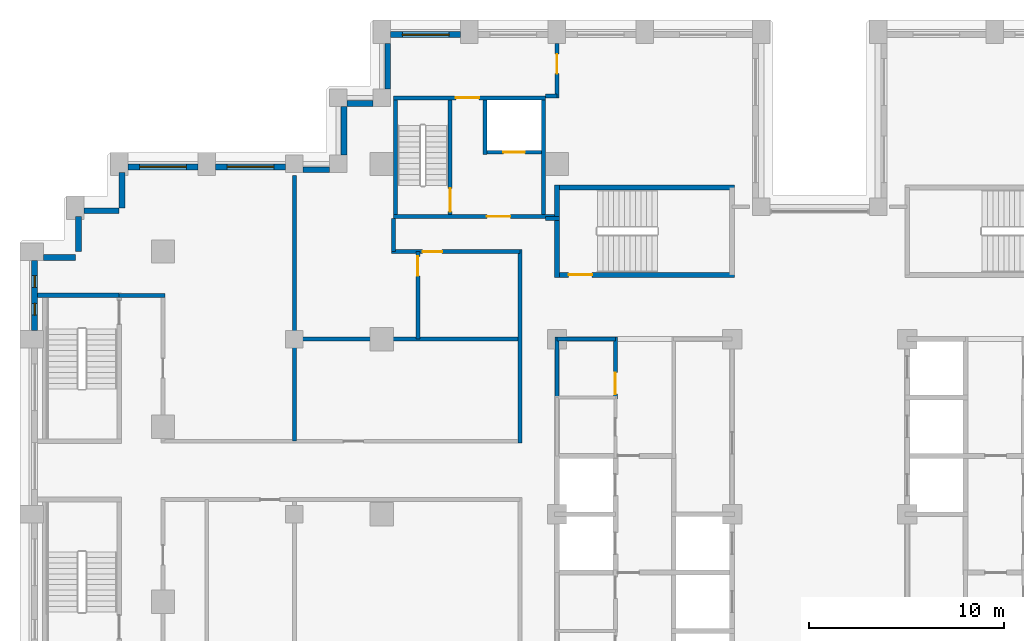
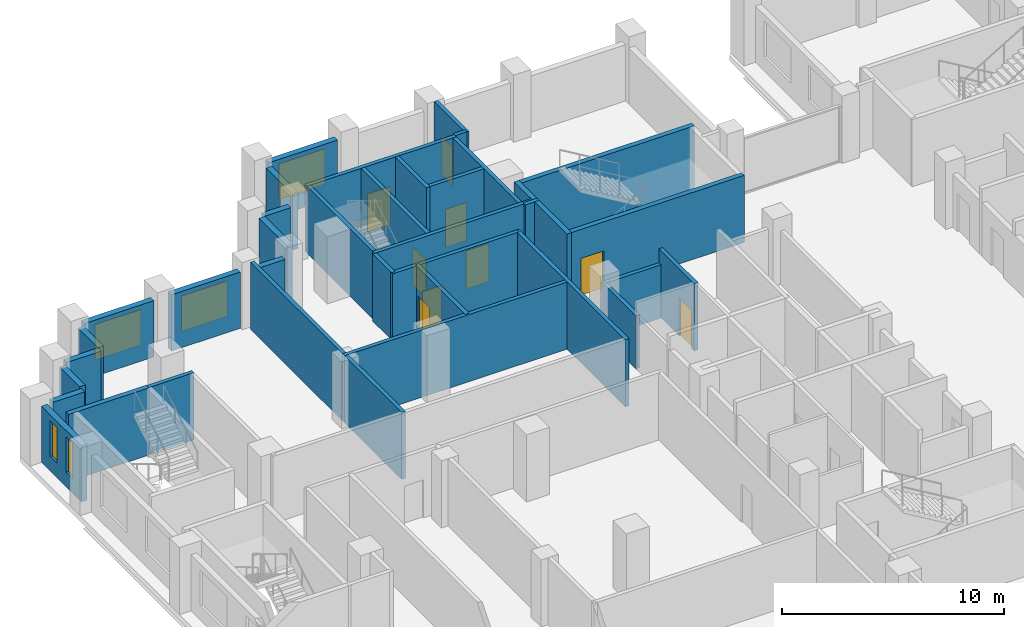
# One storey, part 9 of 15: 36 walls, 9 doors, 5 windows, 14 openings.
"""IFC4 building model written with IfcOpenShell, lengths in metres."""

from ifc_helpers import new_model, si_unit, direction, frame, frame_2d, origin, place, context, subcontext, project, spatial, rectangle, extrude, material, layer, layer_set, type_object, element, fill, save


model = new_model("IFC4")

# Units and contexts
model_context = context("Model", 3, precision=1e-05, world=origin(), true_north=direction((0.0, 1.0)))
body_context = subcontext(model_context, "Body", "Model", "MODEL_VIEW")
ifc_project = project(units=[si_unit("LENGTHUNIT", "METRE"), si_unit("AREAUNIT", "SQUARE_METRE"), si_unit("VOLUMEUNIT", "CUBIC_METRE"), si_unit("PLANEANGLEUNIT", "RADIAN"), si_unit("MASSUNIT", "GRAM", prefix="KILO")], contexts=[model_context])

# Site, building, storey
site_placement = place(None, origin())
site = spatial("IfcSite", under=ifc_project, at=site_placement, CompositionType="ELEMENT")
building_placement = place(site_placement, origin())
building = spatial("IfcBuilding", under=site, at=building_placement, Name="Corbelhall Arena Tower", CompositionType="ELEMENT")
storey_placement = place(building_placement, frame((0.0, 0.0, 88.0)))
storey = spatial("IfcBuildingStorey", under=building, at=storey_placement, Name="L14", CompositionType="ELEMENT", Elevation=88.0)

# Walls
ifc_material_1 = material(Name="Precast concrete C40/50 with granite facing", Category="masonry")
ifc_layer_1 = layer(ifc_material_1, 0.300048828125)
ifc_layer_set_1 = layer_set([ifc_layer_1], Name="EV-IW1 Infill panel 300")
wall_type_1 = type_object("IfcWallType", Name="EV-IW1 Infill panel 300", PredefinedType="SOLIDWALL", material=ifc_layer_set_1)
for number, where, z_axis, x_axis, name in (
    (1, (-35.85009765625, 17.550048828125, 0.0), (0.0, 0.0, 1.0), (0.0, -1.0, 0.0), "Infill panel IW1"),
    (2, (-37.800048828125, 15.60009765625, 0.0), (0.0, 0.0, 1.0), (1.0, 0.0, 0.0), "Infill panel IW1"),
    (3, (-38.10009765625, 15.300048828125, 0.0), (0.0, 0.0, 1.0), (0.0, -1.0, 0.0), "Infill panel IW1"),
):
    element("IfcWall", number, at=place(storey_placement, frame(where, z_axis=z_axis, x_axis=x_axis)), inside=storey, type_object=wall_type_1, Name=name, PredefinedType="SOLIDWALL", context=body_context, shape_type="SweptSolid", body=[
        extrude(rectangle(XDim=1.800048828125, YDim=0.300048828125, at=frame_2d((0.89990234375, 0.0))), origin(), (0.0, 0.0, 1.0), 3.10009765625),
    ])
wall_1_placement = place(storey_placement, frame((-39.89990234375, 13.199951171875, 0.0), z_axis=(0.0, 0.0, 1.0), x_axis=(1.0, 0.0, 0.0)))
element("IfcWall", 4, at=wall_1_placement, inside=storey, type_object=wall_type_1, Name="Infill panel IW1", PredefinedType="SOLIDWALL", context=body_context, shape_type="SweptSolid", body=[
    extrude(rectangle(XDim=1.64990234375, YDim=0.300048828125, at=frame_2d((0.824951171875, 0.0))), origin(), (0.0, 0.0, 1.0), 3.10009765625),
])
wall_2_placement = place(storey_placement, frame((-22.199951171875, 24.199951171875, 0.0), z_axis=(0.0, 0.0, 1.0), x_axis=(0.0, -1.0, 0.0)))
element("IfcWall", 5, at=wall_2_placement, inside=storey, type_object=wall_type_1, Name="Infill panel IW1", PredefinedType="SOLIDWALL", context=body_context, shape_type="SweptSolid", body=[
    extrude(rectangle(XDim=2.349853515625, YDim=0.300048828125, at=frame_2d((1.1748046875, 0.0))), origin(), (0.0, 0.0, 1.0), 3.10009765625),
])
wall_3_placement = place(storey_placement, frame((-22.949951171875, 21.10009765625, 0.0), z_axis=(0.0, 0.0, 1.0), x_axis=(-1.0, 0.0, 0.0)))
element("IfcWall", 6, at=wall_3_placement, inside=storey, type_object=wall_type_1, Name="Infill panel IW1", PredefinedType="SOLIDWALL", context=body_context, shape_type="SweptSolid", body=[
    extrude(rectangle(XDim=1.35009765625, YDim=0.300048828125, at=frame_2d((0.675048828125, 0.0))), origin(), (0.0, 0.0, 1.0), 3.10009765625),
])
wall_4_placement = place(storey_placement, frame((-24.449951171875, 20.949951171875, 0.0), z_axis=(0.0, 0.0, 1.0), x_axis=(0.0, -1.0, 0.0)))
element("IfcWall", 7, at=wall_4_placement, inside=storey, type_object=wall_type_1, Name="Infill panel IW1", PredefinedType="SOLIDWALL", context=body_context, shape_type="SweptSolid", body=[
    extrude(rectangle(XDim=2.5, YDim=0.300048828125, at=frame_2d((1.25, 0.0))), origin(), (0.0, 0.0, 1.0), 3.10009765625),
])
wall_5_placement = place(storey_placement, frame((-25.199951171875, 17.699951171875, 0.0), z_axis=(0.0, 0.0, 1.0), x_axis=(-1.0, 0.0, 0.0)))
element("IfcWall", 8, at=wall_5_placement, inside=storey, type_object=wall_type_1, Name="Infill panel IW1", PredefinedType="SOLIDWALL", context=body_context, shape_type="SweptSolid", body=[
    extrude(rectangle(XDim=1.35009765625, YDim=0.300048828125, at=frame_2d((0.675048828125, 0.0))), origin(), (0.0, 0.0, 1.0), 3.10009765625),
])

# Wall, opening, window
wall_6_placement = place(storey_placement, frame((-27.449951171875, 17.85009765625, 0.0), z_axis=(0.0, 0.0, 1.0), x_axis=(-1.0, 0.0, 0.0)))
wall_6 = element("IfcWall", 9, at=wall_6_placement, inside=storey, type_object=wall_type_1, Name="Infill panel IW1", PredefinedType="SOLIDWALL", context=body_context, shape_type="SweptSolid", body=[
    extrude(rectangle(XDim=3.60009765625, YDim=0.300048828125, at=frame_2d((1.800048828125, 0.0))), origin(), (0.0, 0.0, 1.0), 3.10009765625),
])
opening_1_placement = place(wall_6_placement, frame((0.60009765625, 0.0, 0.800048828125)))
opening_1 = element("IfcOpeningElement", 10, at=opening_1_placement, cuts=wall_6, Name="Opening WN1", PredefinedType="OPENING", context=body_context, shape_type="SweptSolid", body=[
    extrude(rectangle(XDim=2.39990234375, YDim=1.949951171875, at=frame_2d((1.199951171875, 0.97509765625))), frame((0.0, 0.14990234375, 0.0), z_axis=(0.0, -1.0, 0.0), x_axis=(1.0, 0.0, 0.0)), (0.0, 0.0, 1.0), 0.300048828125),
])
ifc_material_2 = material(Name="Aluminium black anodised", Category="aluminium")
window_type_1 = type_object("IfcWindowType", Name="EV-WN1 Office window", PartitioningType="SINGLE_PANEL", PredefinedType="WINDOW", material=ifc_material_2)
window_1_placement = place(opening_1_placement, origin())
window_1 = element("IfcWindow", 11, at=window_1_placement, inside=storey, type_object=window_type_1, Name="Window WN1", OverallHeight=1.949951171875, OverallWidth=2.39990234375, PartitioningType="SINGLE_PANEL", PredefinedType="WINDOW", context=body_context, shape_type="SweptSolid", body=[
    extrude(rectangle(XDim=2.39990234375, YDim=1.949951171875, at=frame_2d((1.199951171875, 0.97509765625))), frame((0.0, 0.030029296875, 0.0), z_axis=(0.0, -1.0, 0.0), x_axis=(1.0, 0.0, 0.0)), (0.0, 0.0, 1.0), 0.06005859375),
])
fill(opening_1, window_1)

wall_7_placement = place(storey_placement, frame((-31.949951171875, 17.85009765625, 0.0), z_axis=(0.0, 0.0, 1.0), x_axis=(-1.0, 0.0, 0.0)))
wall_7 = element("IfcWall", 12, at=wall_7_placement, inside=storey, type_object=wall_type_1, Name="Infill panel IW1", PredefinedType="SOLIDWALL", context=body_context, shape_type="SweptSolid", body=[
    extrude(rectangle(XDim=3.60009765625, YDim=0.300048828125, at=frame_2d((1.800048828125, 0.0))), origin(), (0.0, 0.0, 1.0), 3.10009765625),
])
opening_2_placement = place(wall_7_placement, frame((0.60009765625, 0.0, 0.800048828125)))
opening_2 = element("IfcOpeningElement", 13, at=opening_2_placement, cuts=wall_7, Name="Opening WN1", PredefinedType="OPENING", context=body_context, shape_type="SweptSolid", body=[
    extrude(rectangle(XDim=2.39990234375, YDim=1.949951171875, at=frame_2d((1.199951171875, 0.97509765625))), frame((0.0, 0.14990234375, 0.0), z_axis=(0.0, -1.0, 0.0), x_axis=(1.0, 0.0, 0.0)), (0.0, 0.0, 1.0), 0.300048828125),
])
window_2_placement = place(opening_2_placement, origin())
window_2 = element("IfcWindow", 14, at=window_2_placement, inside=storey, type_object=window_type_1, Name="Window WN1", OverallHeight=1.949951171875, OverallWidth=2.39990234375, PartitioningType="SINGLE_PANEL", PredefinedType="WINDOW", context=body_context, shape_type="SweptSolid", body=[
    extrude(rectangle(XDim=2.39990234375, YDim=1.949951171875, at=frame_2d((1.199951171875, 0.97509765625))), frame((0.0, 0.030029296875, 0.0), z_axis=(0.0, -1.0, 0.0), x_axis=(1.0, 0.0, 0.0)), (0.0, 0.0, 1.0), 0.06005859375),
])
fill(opening_2, window_2)

# Wall, openings, windows
wall_8_placement = place(storey_placement, frame((-40.35009765625, 13.050048828125, 0.0), z_axis=(0.0, 0.0, 1.0), x_axis=(0.0, -1.0, 0.0)))
wall_8 = element("IfcWall", 15, at=wall_8_placement, inside=storey, type_object=wall_type_1, Name="Infill panel IW1", PredefinedType="SOLIDWALL", context=body_context, shape_type="SweptSolid", body=[
    extrude(rectangle(XDim=3.60009765625, YDim=0.300048828125, at=frame_2d((1.800048828125, 0.0))), origin(), (0.0, 0.0, 1.0), 3.10009765625),
])
opening_3_placement = place(wall_8_placement, frame((0.78759765625, 0.0, 0.800048828125)))
opening_3 = element("IfcOpeningElement", 16, at=opening_3_placement, cuts=wall_8, Name="Opening WN5", PredefinedType="OPENING", context=body_context, shape_type="SweptSolid", body=[
    extrude(rectangle(XDim=0.60009765625, YDim=1.949951171875, at=frame_2d((0.300048828125, 0.97509765625))), frame((0.0, 0.14990234375, 0.0), z_axis=(0.0, -1.0, 0.0), x_axis=(1.0, 0.0, 0.0)), (0.0, 0.0, 1.0), 0.300048828125),
])
opening_4_placement = place(wall_8_placement, frame((2.21240234375, 0.0, 0.800048828125)))
opening_4 = element("IfcOpeningElement", 17, at=opening_4_placement, cuts=wall_8, Name="Opening WN5", PredefinedType="OPENING", context=body_context, shape_type="SweptSolid", body=[
    extrude(rectangle(XDim=0.60009765625, YDim=1.949951171875, at=frame_2d((0.300048828125, 0.97509765625))), frame((0.0, 0.14990234375, 0.0), z_axis=(0.0, -1.0, 0.0), x_axis=(1.0, 0.0, 0.0)), (0.0, 0.0, 1.0), 0.300048828125),
])
window_type_2 = type_object("IfcWindowType", Name="EV-WN5 Office window 600", PartitioningType="SINGLE_PANEL", PredefinedType="WINDOW", material=ifc_material_2)
window_3_placement = place(opening_3_placement, origin())
window_3 = element("IfcWindow", 18, at=window_3_placement, inside=storey, type_object=window_type_2, Name="Window WN5", OverallHeight=1.949951171875, OverallWidth=0.60009765625, PartitioningType="SINGLE_PANEL", PredefinedType="WINDOW", context=body_context, shape_type="SweptSolid", body=[
    extrude(rectangle(XDim=0.60009765625, YDim=1.949951171875, at=frame_2d((0.300048828125, 0.97509765625))), frame((0.0, 0.030029296875, 0.0), z_axis=(0.0, -1.0, 0.0), x_axis=(1.0, 0.0, 0.0)), (0.0, 0.0, 1.0), 0.06005859375),
])
fill(opening_3, window_3)
window_4_placement = place(opening_4_placement, origin())
window_4 = element("IfcWindow", 19, at=window_4_placement, inside=storey, type_object=window_type_2, Name="Window WN5", OverallHeight=1.949951171875, OverallWidth=0.60009765625, PartitioningType="SINGLE_PANEL", PredefinedType="WINDOW", context=body_context, shape_type="SweptSolid", body=[
    extrude(rectangle(XDim=0.60009765625, YDim=1.949951171875, at=frame_2d((0.300048828125, 0.97509765625))), frame((0.0, 0.030029296875, 0.0), z_axis=(0.0, -1.0, 0.0), x_axis=(1.0, 0.0, 0.0)), (0.0, 0.0, 1.0), 0.06005859375),
])
fill(opening_4, window_4)

# Wall, opening, window
wall_9_placement = place(storey_placement, frame((-18.449951171875, 24.64990234375, 0.0), z_axis=(0.0, 0.0, 1.0), x_axis=(-1.0, 0.0, 0.0)))
wall_9 = element("IfcWall", 20, at=wall_9_placement, inside=storey, type_object=wall_type_1, Name="Infill panel IW1", PredefinedType="SOLIDWALL", context=body_context, shape_type="SweptSolid", body=[
    extrude(rectangle(XDim=3.60009765625, YDim=0.300048828125, at=frame_2d((1.800048828125, 0.0))), origin(), (0.0, 0.0, 1.0), 3.10009765625),
])
opening_5_placement = place(wall_9_placement, frame((0.60009765625, 0.0, 0.800048828125)))
opening_5 = element("IfcOpeningElement", 21, at=opening_5_placement, cuts=wall_9, Name="Opening WN1", PredefinedType="OPENING", context=body_context, shape_type="SweptSolid", body=[
    extrude(rectangle(XDim=2.39990234375, YDim=1.949951171875, at=frame_2d((1.199951171875, 0.97509765625))), frame((0.0, 0.14990234375, 0.0), z_axis=(0.0, -1.0, 0.0), x_axis=(1.0, 0.0, 0.0)), (0.0, 0.0, 1.0), 0.300048828125),
])
window_5_placement = place(opening_5_placement, origin())
window_5 = element("IfcWindow", 22, at=window_5_placement, inside=storey, type_object=window_type_1, Name="Window WN1", OverallHeight=1.949951171875, OverallWidth=2.39990234375, PartitioningType="SINGLE_PANEL", PredefinedType="WINDOW", context=body_context, shape_type="SweptSolid", body=[
    extrude(rectangle(XDim=2.39990234375, YDim=1.949951171875, at=frame_2d((1.199951171875, 0.97509765625))), frame((0.0, 0.030029296875, 0.0), z_axis=(0.0, -1.0, 0.0), x_axis=(1.0, 0.0, 0.0)), (0.0, 0.0, 1.0), 0.06005859375),
])
fill(opening_5, window_5)

# Walls
ifc_material_3 = material(Name="Gypsum board on steel stud, acoustic", Category="steel")
ifc_layer_2 = layer(ifc_material_3, 0.199951171875)
ifc_layer_set_2 = layer_set([ifc_layer_2], Name="IN-W-DM200")
wall_type_2 = type_object("IfcWallType", Name="IN-W-DM200", PredefinedType="PARTITIONING", material=ifc_layer_set_2)
wall_10_placement = place(storey_placement, frame((-36.0, 11.25, 0.0), z_axis=(0.0, 0.0, 1.0), x_axis=(1.0, 0.0, 0.0)))
element("IfcWall", 23, at=wall_10_placement, inside=storey, type_object=wall_type_2, Name="Partition 001", PredefinedType="PARTITIONING", context=body_context, shape_type="SweptSolid", body=[
    extrude(rectangle(XDim=2.35009765625, YDim=0.199951171875, at=frame_2d((1.175048828125, 0.0))), origin(), (0.0, 0.0, 1.0), 3.699951171875),
])
wall_11_placement = place(storey_placement, frame((-27.10009765625, 9.0, 0.0), z_axis=(0.0, 0.0, 1.0), x_axis=(1.0, 0.0, 0.0)))
element("IfcWall", 24, at=wall_11_placement, inside=storey, type_object=wall_type_2, Name="Partition 009", PredefinedType="PARTITIONING", context=body_context, shape_type="SweptSolid", body=[
    extrude(rectangle(XDim=11.7001953125, YDim=0.199951171875, at=frame_2d((5.85009765625, 0.0))), origin(), (0.0, 0.0, 1.0), 3.699951171875),
])
wall_12_placement = place(storey_placement, frame((-27.0, 3.75, 0.0), z_axis=(0.0, 0.0, 1.0), x_axis=(0.0, 1.0, 0.0)))
element("IfcWall", 25, at=wall_12_placement, inside=storey, type_object=wall_type_2, Name="Partition 011", PredefinedType="PARTITIONING", context=body_context, shape_type="SweptSolid", body=[
    extrude(rectangle(XDim=13.64990234375, YDim=0.199951171875, at=frame_2d((6.824951171875, 0.0))), origin(), (0.0, 0.0, 1.0), 3.699951171875),
])
wall_13_placement = place(storey_placement, frame((-21.89990234375, 13.5, 0.0), z_axis=(0.0, 0.0, 1.0), x_axis=(0.0, 1.0, 0.0)))
element("IfcWall", 26, at=wall_13_placement, inside=storey, type_object=wall_type_2, Name="Partition 013", PredefinedType="PARTITIONING", context=body_context, shape_type="SweptSolid", body=[
    extrude(rectangle(XDim=1.699951171875, YDim=0.199951171875, at=frame_2d((0.85009765625, 0.0))), origin(), (0.0, 0.0, 1.0), 3.699951171875),
])

# Wall, opening, door
wall_14_placement = place(storey_placement, frame((-20.64990234375, 9.0, 0.0), z_axis=(0.0, 0.0, 1.0), x_axis=(0.0, 1.0, 0.0)))
wall_14 = element("IfcWall", 27, at=wall_14_placement, inside=storey, type_object=wall_type_2, Name="Partition 014", PredefinedType="PARTITIONING", context=body_context, shape_type="SweptSolid", body=[
    extrude(rectangle(XDim=4.5, YDim=0.199951171875, at=frame_2d((2.25, 0.0))), origin(), (0.0, 0.0, 1.0), 3.699951171875),
])
opening_6_placement = place(wall_14_placement, frame((3.25, 0.0, 0.0)))
opening_6 = element("IfcOpeningElement", 28, at=opening_6_placement, cuts=wall_14, Name="Opening 02028", PredefinedType="OPENING", context=body_context, shape_type="SweptSolid", body=[
    extrude(rectangle(XDim=1.0, YDim=2.10009765625, at=frame_2d((0.5, 1.050048828125))), frame((0.0, 0.10009765625, 0.0), z_axis=(0.0, -1.0, 0.0), x_axis=(1.0, 0.0, 0.0)), (0.0, 0.0, 1.0), 0.199951171875),
])
ifc_material_4 = material(Name="Steel door set", Category="steel")
door_type_1 = type_object("IfcDoorType", Name="IN-D-SW100", OperationType="NOTDEFINED", PredefinedType="DOOR", material=ifc_material_4)
door_1_placement = place(opening_6_placement, origin())
door_1 = element("IfcDoor", 29, at=door_1_placement, inside=storey, type_object=door_type_1, Name="Door 028", OperationType="SINGLE_SWING_LEFT", OverallHeight=2.10009765625, OverallWidth=1.0, PredefinedType="DOOR", context=body_context, shape_type="SweptSolid", body=[
    extrude(rectangle(XDim=1.0, YDim=2.10009765625, at=frame_2d((0.5, 1.050048828125))), frame((0.0, 0.02490234375, 0.0), z_axis=(0.0, -1.0, 0.0), x_axis=(1.0, 0.0, 0.0)), (0.0, 0.0, 1.0), 0.050048828125),
])
fill(opening_6, door_1)

wall_15_placement = place(storey_placement, frame((-15.39990234375, 13.5, 0.0), z_axis=(0.0, 0.0, 1.0), x_axis=(-1.0, 0.0, 0.0)))
wall_15 = element("IfcWall", 30, at=wall_15_placement, inside=storey, type_object=wall_type_2, Name="Partition 015", PredefinedType="PARTITIONING", context=body_context, shape_type="SweptSolid", body=[
    extrude(rectangle(XDim=6.60009765625, YDim=0.199951171875, at=frame_2d((3.300048828125, 0.0))), origin(), (0.0, 0.0, 1.0), 3.699951171875),
])
opening_7_placement = place(wall_15_placement, frame((4.0, 0.0, 0.0)))
opening_7 = element("IfcOpeningElement", 31, at=opening_7_placement, cuts=wall_15, Name="Opening 02027", PredefinedType="OPENING", context=body_context, shape_type="SweptSolid", body=[
    extrude(rectangle(XDim=1.0, YDim=2.10009765625, at=frame_2d((0.5, 1.050048828125))), frame((0.0, 0.10009765625, 0.0), z_axis=(0.0, -1.0, 0.0), x_axis=(1.0, 0.0, 0.0)), (0.0, 0.0, 1.0), 0.199951171875),
])
door_2_placement = place(opening_7_placement, origin())
door_2 = element("IfcDoor", 32, at=door_2_placement, inside=storey, type_object=door_type_1, Name="Door 027", OperationType="SINGLE_SWING_RIGHT", OverallHeight=2.10009765625, OverallWidth=1.0, PredefinedType="DOOR", context=body_context, shape_type="SweptSolid", body=[
    extrude(rectangle(XDim=1.0, YDim=2.10009765625, at=frame_2d((0.5, 1.050048828125))), frame((0.0, 0.02490234375, 0.0), z_axis=(0.0, -1.0, 0.0), x_axis=(1.0, 0.0, 0.0)), (0.0, 0.0, 1.0), 0.050048828125),
])
fill(opening_7, door_2)

# Walls
wall_16_placement = place(storey_placement, frame((-15.39990234375, 3.64990234375, 0.0), z_axis=(0.0, 0.0, 1.0), x_axis=(0.0, 1.0, 0.0)))
element("IfcWall", 33, at=wall_16_placement, inside=storey, type_object=wall_type_2, Name="Partition 017", PredefinedType="PARTITIONING", context=body_context, shape_type="SweptSolid", body=[
    extrude(rectangle(XDim=9.9501953125, YDim=0.199951171875, at=frame_2d((4.97509765625, 0.0))), origin(), (0.0, 0.0, 1.0), 3.699951171875),
])
wall_17_placement = place(storey_placement, frame((-14.10009765625, 15.199951171875, 0.0), z_axis=(0.0, 0.0, 1.0), x_axis=(1.0, 0.0, 0.0)))
element("IfcWall", 34, at=wall_17_placement, inside=storey, type_object=wall_type_2, Name="Partition 018", PredefinedType="PARTITIONING", context=body_context, shape_type="SweptSolid", body=[
    extrude(rectangle(XDim=0.72509765625, YDim=0.199951171875, at=frame_2d((0.362548828125, 0.0))), origin(), (0.0, 0.0, 1.0), 3.699951171875),
])
wall_18_placement = place(storey_placement, frame((-13.5, 21.5, 0.0), z_axis=(0.0, 0.0, 1.0), x_axis=(-1.0, 0.0, 0.0)))
element("IfcWall", 35, at=wall_18_placement, inside=storey, type_object=wall_type_2, Name="Partition 020", PredefinedType="PARTITIONING", context=body_context, shape_type="SweptSolid", body=[
    extrude(rectangle(XDim=0.60009765625, YDim=0.199951171875, at=frame_2d((0.300048828125, 0.0))), origin(), (0.0, 0.0, 1.0), 3.699951171875),
])

# Wall, opening, door
wall_19_placement = place(storey_placement, frame((-13.5, 24.199951171875, 0.0), z_axis=(0.0, 0.0, 1.0), x_axis=(0.0, -1.0, 0.0)))
wall_19 = element("IfcWall", 36, at=wall_19_placement, inside=storey, type_object=wall_type_2, Name="Partition 021", PredefinedType="PARTITIONING", context=body_context, shape_type="SweptSolid", body=[
    extrude(rectangle(XDim=2.800048828125, YDim=0.199951171875, at=frame_2d((1.39990234375, 0.0))), origin(), (0.0, 0.0, 1.0), 3.699951171875),
])
opening_8_placement = place(wall_19_placement, frame((0.550048828125, 0.0, 0.0)))
opening_8 = element("IfcOpeningElement", 37, at=opening_8_placement, cuts=wall_19, Name="Opening 02022", PredefinedType="OPENING", context=body_context, shape_type="SweptSolid", body=[
    extrude(rectangle(XDim=1.0, YDim=2.10009765625, at=frame_2d((0.5, 1.050048828125))), frame((0.0, 0.10009765625, 0.0), z_axis=(0.0, -1.0, 0.0), x_axis=(1.0, 0.0, 0.0)), (0.0, 0.0, 1.0), 0.199951171875),
])
door_3_placement = place(opening_8_placement, origin())
door_3 = element("IfcDoor", 38, at=door_3_placement, inside=storey, type_object=door_type_1, Name="Door 022", OperationType="SINGLE_SWING_LEFT", OverallHeight=2.10009765625, OverallWidth=1.0, PredefinedType="DOOR", context=body_context, shape_type="SweptSolid", body=[
    extrude(rectangle(XDim=1.0, YDim=2.10009765625, at=frame_2d((0.5, 1.050048828125))), frame((0.0, 0.02490234375, 0.0), z_axis=(0.0, -1.0, 0.0), x_axis=(1.0, 0.0, 0.0)), (0.0, 0.0, 1.0), 0.050048828125),
])
fill(opening_8, door_3)

ifc_material_5 = material(Name="Concrete C40/50", Category="concrete")
ifc_layer_3 = layer(ifc_material_5, 0.199951171875)
ifc_layer_set_3 = layer_set([ifc_layer_3], Name="IN-W-EAR200")
wall_type_3 = type_object("IfcWallType", Name="IN-W-EAR200", PredefinedType="SOLIDWALL", material=ifc_layer_set_3)
wall_20_placement = place(storey_placement, frame((-21.89990234375, 15.300048828125, 0.0), z_axis=(0.0, 0.0, 1.0), x_axis=(1.0, 0.0, 0.0)))
wall_20 = element("IfcWall", 39, at=wall_20_placement, inside=storey, type_object=wall_type_3, Name="Fire service turret wall south", PredefinedType="SOLIDWALL", context=body_context, shape_type="SweptSolid", body=[
    extrude(rectangle(XDim=8.27490234375, YDim=0.199951171875, at=frame_2d((4.137451171875, 0.0))), origin(), (0.0, 0.0, 1.0), 3.699951171875),
])
opening_9_placement = place(wall_20_placement, frame((4.800048828125, 0.0, 0.0)))
opening_9 = element("IfcOpeningElement", 40, at=opening_9_placement, cuts=wall_20, Name="Opening E022", PredefinedType="OPENING", context=body_context, shape_type="SweptSolid", body=[
    extrude(rectangle(XDim=1.199951171875, YDim=2.10009765625, at=frame_2d((0.60009765625, 1.050048828125))), frame((0.0, 0.10009765625, 0.0), z_axis=(0.0, -1.0, 0.0), x_axis=(1.0, 0.0, 0.0)), (0.0, 0.0, 1.0), 0.199951171875),
])
door_type_2 = type_object("IfcDoorType", Name="IN-D-ST120", OperationType="NOTDEFINED", PredefinedType="DOOR", material=ifc_material_4)
door_4_placement = place(opening_9_placement, origin())
door_4 = element("IfcDoor", 41, at=door_4_placement, inside=storey, type_object=door_type_2, Name="Door from fire service lift lobby to circulation", OperationType="SINGLE_SWING_RIGHT", OverallHeight=2.10009765625, OverallWidth=1.199951171875, PredefinedType="DOOR", context=body_context, shape_type="SweptSolid", body=[
    extrude(rectangle(XDim=1.199951171875, YDim=2.10009765625, at=frame_2d((0.60009765625, 1.050048828125))), frame((0.0, 0.02490234375, 0.0), z_axis=(0.0, -1.0, 0.0), x_axis=(1.0, 0.0, 0.0)), (0.0, 0.0, 1.0), 0.050048828125),
])
fill(opening_9, door_4)

wall_21_placement = place(storey_placement, frame((-21.89990234375, 21.39990234375, 0.0), z_axis=(0.0, 0.0, 1.0), x_axis=(1.0, 0.0, 0.0)))
wall_21 = element("IfcWall", 42, at=wall_21_placement, inside=storey, type_object=wall_type_3, Name="Fire service turret wall north", PredefinedType="SOLIDWALL", context=body_context, shape_type="SweptSolid", body=[
    extrude(rectangle(XDim=7.7998046875, YDim=0.199951171875, at=frame_2d((3.89990234375, 0.0))), origin(), (0.0, 0.0, 1.0), 3.699951171875),
])
opening_10_placement = place(wall_21_placement, frame((3.199951171875, 0.0, 0.0)))
opening_10 = element("IfcOpeningElement", 43, at=opening_10_placement, cuts=wall_21, Name="Opening E023", PredefinedType="OPENING", context=body_context, shape_type="SweptSolid", body=[
    extrude(rectangle(XDim=1.199951171875, YDim=2.10009765625, at=frame_2d((0.60009765625, 1.050048828125))), frame((0.0, 0.10009765625, 0.0), z_axis=(0.0, -1.0, 0.0), x_axis=(1.0, 0.0, 0.0)), (0.0, 0.0, 1.0), 0.199951171875),
])
door_5_placement = place(opening_10_placement, origin())
door_5 = element("IfcDoor", 44, at=door_5_placement, inside=storey, type_object=door_type_2, Name="Door from fire service lift lobby to the north gallery", OperationType="SINGLE_SWING_LEFT", OverallHeight=2.10009765625, OverallWidth=1.199951171875, PredefinedType="DOOR", context=body_context, shape_type="SweptSolid", body=[
    extrude(rectangle(XDim=1.199951171875, YDim=2.10009765625, at=frame_2d((0.60009765625, 1.050048828125))), frame((0.0, 0.02490234375, 0.0), z_axis=(0.0, -1.0, 0.0), x_axis=(1.0, 0.0, 0.0)), (0.0, 0.0, 1.0), 0.050048828125),
])
fill(opening_10, door_5)

# Walls
for number, where, z_axis, x_axis, name in (
    (45, (-21.800048828125, 15.39990234375, 0.0), (0.0, 0.0, 1.0), (0.0, 1.0, 0.0), "Fire service turret wall west"),
    (46, (-14.199951171875, 15.39990234375, 0.0), (0.0, 0.0, 1.0), (0.0, 1.0, 0.0), "Fire service turret wall east"),
):
    element("IfcWall", number, at=place(storey_placement, frame(where, z_axis=z_axis, x_axis=x_axis)), inside=storey, type_object=wall_type_3, Name=name, PredefinedType="SOLIDWALL", context=body_context, shape_type="SweptSolid", body=[
        extrude(rectangle(XDim=5.900146484375, YDim=0.199951171875, at=frame_2d((2.9501953125, 0.0))), origin(), (0.0, 0.0, 1.0), 3.699951171875),
    ])

# Wall, opening, door
wall_22_placement = place(storey_placement, frame((-18.989990234375, 15.39990234375, 0.0), z_axis=(0.0, 0.0, 1.0), x_axis=(0.0, 1.0, 0.0)))
wall_22 = element("IfcWall", 47, at=wall_22_placement, inside=storey, type_object=wall_type_3, Name="Fire service turret wall stair", PredefinedType="SOLIDWALL", context=body_context, shape_type="SweptSolid", body=[
    extrude(rectangle(XDim=5.900146484375, YDim=0.199951171875, at=frame_2d((2.9501953125, 0.0))), origin(), (0.0, 0.0, 1.0), 3.699951171875),
])
opening_11_placement = place(wall_22_placement, frame((0.14990234375, 0.0, 0.0)))
opening_11 = element("IfcOpeningElement", 48, at=opening_11_placement, cuts=wall_22, Name="Opening E021", PredefinedType="OPENING", context=body_context, shape_type="SweptSolid", body=[
    extrude(rectangle(XDim=1.199951171875, YDim=2.10009765625, at=frame_2d((0.60009765625, 1.050048828125))), frame((0.0, 0.10009765625, 0.0), z_axis=(0.0, -1.0, 0.0), x_axis=(1.0, 0.0, 0.0)), (0.0, 0.0, 1.0), 0.199951171875),
])
door_6_placement = place(opening_11_placement, origin())
door_6 = element("IfcDoor", 49, at=door_6_placement, inside=storey, type_object=door_type_2, Name="Stair door to fire service lobby", OperationType="SINGLE_SWING_LEFT", OverallHeight=2.10009765625, OverallWidth=1.199951171875, PredefinedType="DOOR", context=body_context, shape_type="SweptSolid", body=[
    extrude(rectangle(XDim=1.199951171875, YDim=2.10009765625, at=frame_2d((0.60009765625, 1.050048828125))), frame((0.0, 0.02490234375, 0.0), z_axis=(0.0, -1.0, 0.0), x_axis=(1.0, 0.0, 0.0)), (0.0, 0.0, 1.0), 0.050048828125),
])
fill(opening_11, door_6)

# Wall
wall_23_placement = place(storey_placement, frame((-17.199951171875, 18.5, 0.0), z_axis=(0.0, 0.0, 1.0), x_axis=(0.0, 1.0, 0.0)))
element("IfcWall", 50, at=wall_23_placement, inside=storey, type_object=wall_type_3, Name="Fire service turret wall hoistway west", PredefinedType="SOLIDWALL", context=body_context, shape_type="SweptSolid", body=[
    extrude(rectangle(XDim=2.800048828125, YDim=0.199951171875, at=frame_2d((1.39990234375, 0.0))), origin(), (0.0, 0.0, 1.0), 3.699951171875),
])

# Wall, opening, door
wall_24_placement = place(storey_placement, frame((-17.10009765625, 18.60009765625, 0.0), z_axis=(0.0, 0.0, 1.0), x_axis=(1.0, 0.0, 0.0)))
wall_24 = element("IfcWall", 51, at=wall_24_placement, inside=storey, type_object=wall_type_3, Name="Fire service turret wall hoistway south", PredefinedType="SOLIDWALL", context=body_context, shape_type="SweptSolid", body=[
    extrude(rectangle(XDim=2.800048828125, YDim=0.199951171875, at=frame_2d((1.39990234375, 0.0))), origin(), (0.0, 0.0, 1.0), 3.699951171875),
])
opening_12_placement = place(wall_24_placement, frame((0.85009765625, 0.0, 0.0)))
opening_12 = element("IfcOpeningElement", 52, at=opening_12_placement, cuts=wall_24, Name="Opening LD", PredefinedType="OPENING", context=body_context, shape_type="SweptSolid", body=[
    extrude(rectangle(XDim=1.10009765625, YDim=2.10009765625, at=frame_2d((0.550048828125, 1.050048828125))), frame((0.0, 0.10009765625, 0.0), z_axis=(0.0, -1.0, 0.0), x_axis=(1.0, 0.0, 0.0)), (0.0, 0.0, 1.0), 0.199951171875),
])
door_type_3 = type_object("IfcDoorType", Name="IN-D-LD110", OperationType="NOTDEFINED", PredefinedType="DOOR", material=ifc_material_4)
door_7_placement = place(opening_12_placement, origin())
door_7 = element("IfcDoor", 53, at=door_7_placement, inside=storey, type_object=door_type_3, Name="Landing door FS1", OperationType="SLIDING_TO_LEFT", OverallHeight=2.10009765625, OverallWidth=1.10009765625, PredefinedType="DOOR", context=body_context, shape_type="SweptSolid", body=[
    extrude(rectangle(XDim=1.10009765625, YDim=2.10009765625, at=frame_2d((0.550048828125, 1.050048828125))), frame((0.0, 0.02490234375, 0.0), z_axis=(0.0, -1.0, 0.0), x_axis=(1.0, 0.0, 0.0)), (0.0, 0.0, 1.0), 0.050048828125),
])
fill(opening_12, door_7)

ifc_material_6 = material(Name="Concrete block wall", Category="concrete")
ifc_layer_4 = layer(ifc_material_6, 0.199951171875)
ifc_layer_set_4 = layer_set([ifc_layer_4], Name="IN-W-RS200")
wall_type_4 = type_object("IfcWallType", Name="IN-W-RS200", PredefinedType="SOLIDWALL", material=ifc_layer_set_4)
wall_25_placement = place(storey_placement, frame((-10.5, 5.925048828125, 0.0), z_axis=(0.0, 0.0, 1.0), x_axis=(0.0, 1.0, 0.0)))
wall_25 = element("IfcWall", 54, at=wall_25_placement, inside=storey, type_object=wall_type_4, Name="Partition 046", PredefinedType="SOLIDWALL", context=body_context, shape_type="SweptSolid", body=[
    extrude(rectangle(XDim=3.175048828125, YDim=0.199951171875, at=frame_2d((1.58740234375, 0.0))), origin(), (0.0, 0.0, 1.0), 3.699951171875),
])
opening_13_placement = place(wall_25_placement, frame((0.25, 0.0, 0.0)))
opening_13 = element("IfcOpeningElement", 55, at=opening_13_placement, cuts=wall_25, Name="Opening 02007", PredefinedType="OPENING", context=body_context, shape_type="SweptSolid", body=[
    extrude(rectangle(XDim=1.10009765625, YDim=2.10009765625, at=frame_2d((0.550048828125, 1.050048828125))), frame((0.0, 0.10009765625, 0.0), z_axis=(0.0, -1.0, 0.0), x_axis=(1.0, 0.0, 0.0)), (0.0, 0.0, 1.0), 0.199951171875),
])
door_type_4 = type_object("IfcDoorType", Name="IN-D-FD110", OperationType="NOTDEFINED", PredefinedType="DOOR", material=ifc_material_4)
door_8_placement = place(opening_13_placement, origin())
door_8 = element("IfcDoor", 56, at=door_8_placement, inside=storey, type_object=door_type_4, Name="Door 007", OperationType="SINGLE_SWING_RIGHT", OverallHeight=2.10009765625, OverallWidth=1.10009765625, PredefinedType="DOOR", context=body_context, shape_type="SweptSolid", body=[
    extrude(rectangle(XDim=1.10009765625, YDim=2.10009765625, at=frame_2d((0.550048828125, 1.050048828125))), frame((0.0, 0.02490234375, 0.0), z_axis=(0.0, -1.0, 0.0), x_axis=(1.0, 0.0, 0.0)), (0.0, 0.0, 1.0), 0.050048828125),
])
fill(opening_13, door_8)

# Walls
ifc_layer_5 = layer(ifc_material_6, 0.199951171875)
ifc_layer_set_5 = layer_set([ifc_layer_5], Name="IN-W-RS200 under beam 762 mm")
wall_type_5 = type_object("IfcWallType", Name="IN-W-RS200 under beam 762 mm", PredefinedType="SOLIDWALL", material=ifc_layer_set_5)
wall_26_placement = place(storey_placement, frame((-13.5, 6.0, 0.0), z_axis=(0.0, 0.0, 1.0), x_axis=(0.0, 1.0, 0.0)))
element("IfcWall", 57, at=wall_26_placement, inside=storey, type_object=wall_type_5, Name="Partition 043", PredefinedType="SOLIDWALL", context=body_context, shape_type="SweptSolid", body=[
    extrude(rectangle(XDim=3.10009765625, YDim=0.199951171875, at=frame_2d((1.550048828125, 0.0))), origin(), (0.0, 0.0, 1.0), 2.93798828125),
])
wall_27_placement = place(storey_placement, frame((-13.5, 9.0, 0.0), z_axis=(0.0, 0.0, 1.0), x_axis=(1.0, 0.0, 0.0)))
element("IfcWall", 58, at=wall_27_placement, inside=storey, type_object=wall_type_5, Name="Partition 044", PredefinedType="SOLIDWALL", context=body_context, shape_type="SweptSolid", body=[
    extrude(rectangle(XDim=3.0, YDim=0.199951171875, at=frame_2d((1.5, 0.0))), origin(), (0.0, 0.0, 1.0), 2.93798828125),
])
ifc_layer_6 = layer(ifc_material_5, 0.25)
ifc_layer_set_6 = layer_set([ifc_layer_6], Name="IN-W-ST250")
wall_type_6 = type_object("IfcWallType", Name="IN-W-ST250", PredefinedType="SOLIDWALL", material=ifc_layer_set_6)
wall_28_placement = place(storey_placement, frame((-40.199951171875, 11.25, 0.0), z_axis=(0.0, 0.0, 1.0), x_axis=(1.0, 0.0, 0.0)))
element("IfcWall", 59, at=wall_28_placement, inside=storey, type_object=wall_type_6, Name="Shaft wall 080", PredefinedType="SOLIDWALL", context=body_context, shape_type="SweptSolid", body=[
    extrude(rectangle(XDim=4.199951171875, YDim=0.25, at=frame_2d((2.10009765625, 0.0))), origin(), (0.0, 0.0, 1.0), 3.699951171875),
])

# Wall, opening, door
wall_29_placement = place(storey_placement, frame((-13.5, 12.300048828125, 0.0), z_axis=(0.0, 0.0, 1.0), x_axis=(1.0, 0.0, 0.0)))
wall_29 = element("IfcWall", 60, at=wall_29_placement, inside=storey, type_object=wall_type_6, Name="Shaft wall 086", PredefinedType="SOLIDWALL", context=body_context, shape_type="SweptSolid", body=[
    extrude(rectangle(XDim=9.125, YDim=0.25, at=frame_2d((4.5625, 0.0))), origin(), (0.0, 0.0, 1.0), 3.699951171875),
])
opening_14_placement = place(wall_29_placement, frame((0.60009765625, 0.0, 0.0)))
opening_14 = element("IfcOpeningElement", 61, at=opening_14_placement, cuts=wall_29, Name="Opening 02014", PredefinedType="OPENING", context=body_context, shape_type="SweptSolid", body=[
    extrude(rectangle(XDim=1.199951171875, YDim=2.10009765625, at=frame_2d((0.60009765625, 1.050048828125))), frame((0.0, 0.125, 0.0), z_axis=(0.0, -1.0, 0.0), x_axis=(1.0, 0.0, 0.0)), (0.0, 0.0, 1.0), 0.25),
])
door_9_placement = place(opening_14_placement, origin())
door_9 = element("IfcDoor", 62, at=door_9_placement, inside=storey, type_object=door_type_2, Name="Door 014", OperationType="SINGLE_SWING_LEFT", OverallHeight=2.10009765625, OverallWidth=1.199951171875, PredefinedType="DOOR", context=body_context, shape_type="SweptSolid", body=[
    extrude(rectangle(XDim=1.199951171875, YDim=2.10009765625, at=frame_2d((0.60009765625, 1.050048828125))), frame((0.0, 0.02490234375, 0.0), z_axis=(0.0, -1.0, 0.0), x_axis=(1.0, 0.0, 0.0)), (0.0, 0.0, 1.0), 0.050048828125),
])
fill(opening_14, door_9)

# Walls
wall_30_placement = place(storey_placement, frame((-13.5, 12.175048828125, 0.0), z_axis=(0.0, 0.0, 1.0), x_axis=(0.0, 1.0, 0.0)))
element("IfcWall", 63, at=wall_30_placement, inside=storey, type_object=wall_type_6, Name="Shaft wall 087", PredefinedType="SOLIDWALL", context=body_context, shape_type="SweptSolid", body=[
    extrude(rectangle(XDim=4.75, YDim=0.25, at=frame_2d((2.375, 0.0))), origin(), (0.0, 0.0, 1.0), 3.699951171875),
])
wall_31_placement = place(storey_placement, frame((-13.5, 16.800048828125, 0.0), z_axis=(0.0, 0.0, 1.0), x_axis=(1.0, 0.0, 0.0)))
element("IfcWall", 64, at=wall_31_placement, inside=storey, type_object=wall_type_6, Name="Shaft wall 088", PredefinedType="SOLIDWALL", context=body_context, shape_type="SweptSolid", body=[
    extrude(rectangle(XDim=9.125, YDim=0.25, at=frame_2d((4.5625, 0.0))), origin(), (0.0, 0.0, 1.0), 3.699951171875),
])

save(model, "model.ifc")
